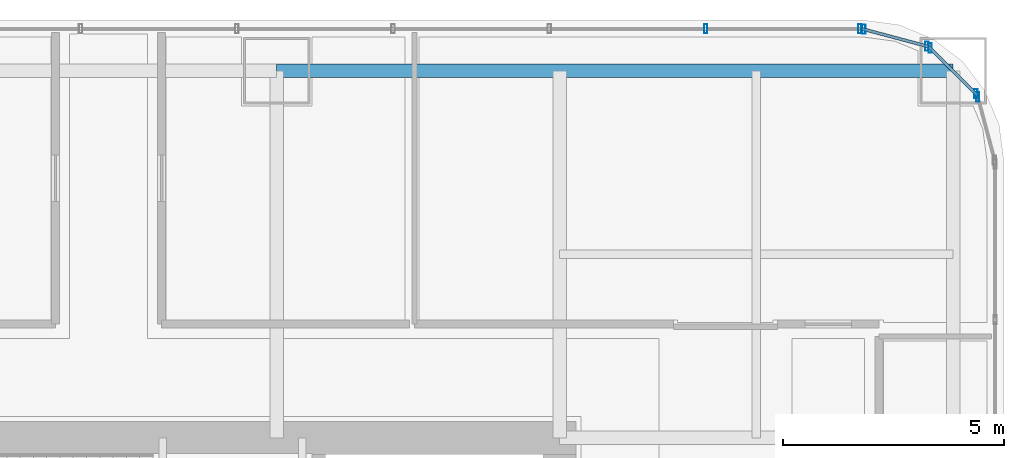
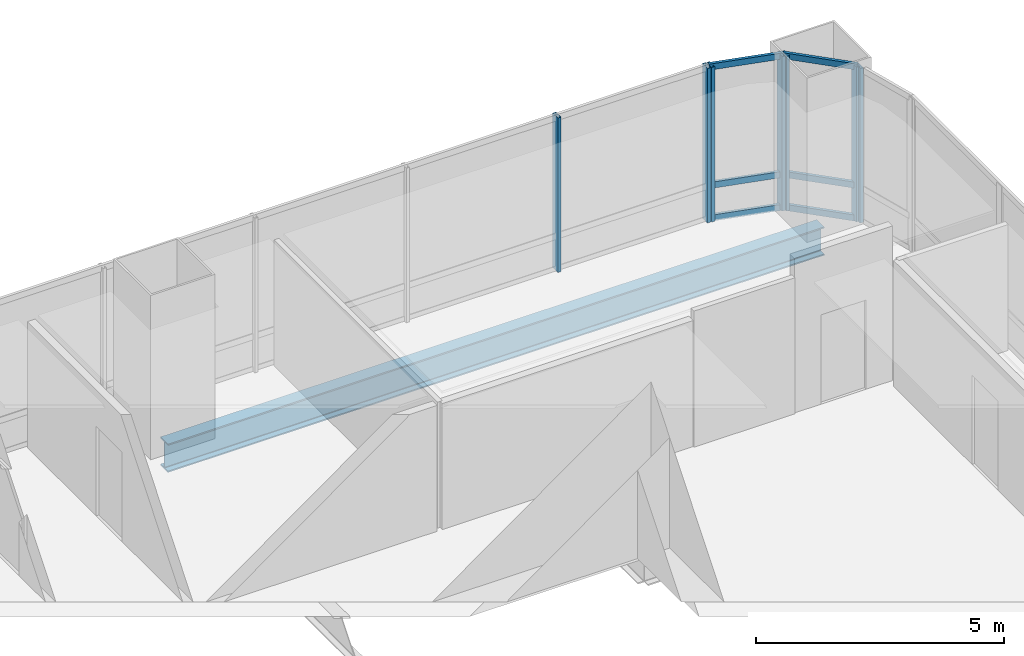
# One storey, part 25 of 36: 13 members, 1 beam, 4 elements without a shape of their own.
"""IFC4 building model written with IfcOpenShell, lengths in metres."""

import ifcopenshell
import ifcopenshell.guid

model = None  # the IFC model being written
_history = None  # IfcOwnerHistory: only IFC2X3 demands one
_inside = {}  # id of a spatial element -> (the spatial element, [elements in it])
_under = {}  # id of a project, library or spatial element -> (it, [spatial elements below it])
_declared = {}  # id of a project -> (the project, [libraries it declares])
_typed = {}  # id of a type object -> (the type object, [elements of that type])
_made_of = {}  # id of a material, layer set ... -> (it, [elements and type objects made of it])


def new_model(schema):
    """Start an empty IFC model of exactly this schema.

    Asked for "IFC4X3", IfcOpenShell would pick the latest addendum, in which some entities
    have other attributes; the version numbers below select the first issue.
    IFC2X3 requires an IfcOwnerHistory on every rooted entity: one is made here for all.
    """
    global model, _history
    if schema == "IFC4X3":
        model = ifcopenshell.file(schema_version=(4, 3, 0, 0))
    else:
        model = ifcopenshell.file(schema=schema)
    _inside.clear()
    _under.clear()
    _declared.clear()
    _typed.clear()
    _made_of.clear()
    _history = None
    if model.schema == "IFC2X3":
        org = make("IfcOrganization", Name="unknown")
        user = make(
            "IfcPersonAndOrganization",
            ThePerson=make("IfcPerson", FamilyName="unknown"),
            TheOrganization=org,
        )
        app = make(
            "IfcApplication",
            ApplicationDeveloper=org,
            Version="unknown",
            ApplicationFullName="unknown",
            ApplicationIdentifier="unknown",
        )
        _history = make(
            "IfcOwnerHistory",
            OwningUser=user,
            OwningApplication=app,
            ChangeAction="ADDED",
            CreationDate=0,
        )
    return model


def make(cls, **values):
    """One entity of the class cls with the attributes given. An attribute that is None is left unset."""
    return model.create_entity(
        cls, **{name: value for name, value in values.items() if value is not None}
    )


def rooted(cls, **values):
    """An entity with a GlobalId (a new one), such as an element, a storey or a relation."""
    return make(cls, GlobalId=ifcopenshell.guid.new(), OwnerHistory=_history, **values)


def si_unit(unit_type, name, prefix=None):
    """IfcSIUnit, for example si_unit("LENGTHUNIT", "METRE", prefix="MILLI")."""
    return make("IfcSIUnit", UnitType=unit_type, Prefix=prefix, Name=name)


def assignment(units):
    """IfcUnitAssignment: the units of a project."""
    return None if units is None else make("IfcUnitAssignment", Units=units)


def point(xyz):
    """IfcCartesianPoint."""
    return None if xyz is None else make("IfcCartesianPoint", Coordinates=xyz)


def direction(xyz):
    """IfcDirection."""
    return None if xyz is None else make("IfcDirection", DirectionRatios=xyz)


def frame(location, z_axis=None, x_axis=None):
    """IfcAxis2Placement3D, a coordinate frame: its origin and axes. An axis left out is left unset."""
    return make(
        "IfcAxis2Placement3D",
        Location=point(location),
        Axis=direction(z_axis),
        RefDirection=direction(x_axis),
    )


def frame_2d(location, x_axis=None):
    """IfcAxis2Placement2D, a coordinate frame in the plane: its origin and x axis."""
    return make(
        "IfcAxis2Placement2D", Location=point(location), RefDirection=direction(x_axis)
    )


def origin():
    """The frame at (0, 0, 0) with its axes left unset."""
    return frame((0.0, 0.0, 0.0))


def origin_2d():
    """The frame at (0, 0) in the plane with its x axis left unset."""
    return frame_2d((0.0, 0.0))


def place(relative_to, where):
    """IfcLocalPlacement: puts the frame where relative to a parent placement (None: the world)."""
    return make(
        "IfcLocalPlacement", PlacementRelTo=relative_to, RelativePlacement=where
    )


def context(
    kind, dimensions, precision=None, world=None, true_north=None, identifier=None
):
    """IfcGeometricRepresentationContext, for example the 3D "Model" context."""
    return make(
        "IfcGeometricRepresentationContext",
        ContextIdentifier=identifier,
        ContextType=kind,
        CoordinateSpaceDimension=dimensions,
        Precision=precision,
        WorldCoordinateSystem=world,
        TrueNorth=true_north,
    )


def subcontext(parent, identifier, kind, view, scale=None):
    """IfcGeometricRepresentationSubContext, for example "Body" below "Model"."""
    return make(
        "IfcGeometricRepresentationSubContext",
        ContextIdentifier=identifier,
        ContextType=kind,
        ParentContext=parent,
        TargetScale=scale,
        TargetView=view,
    )


def project(units=None, contexts=None):
    """IfcProject with its units and contexts."""
    return rooted(
        "IfcProject",
        Name="project",
        RepresentationContexts=contexts,
        UnitsInContext=assignment(units),
    )


def spatial(cls, under=None, at=None, **own):
    """A site, building, storey or space (cls), placed at a placement, below another one or the project."""
    s = rooted(cls, ObjectPlacement=at, **own)
    if under is not None:
        _under.setdefault(under.id(), (under, []))[1].append(s)
    return s


def profile(cls, at=None, kind="AREA", **sizes):
    """A parametric profile (cls). Its sizes go by their IFC names, for example OverallWidth=200.0."""
    return make(cls, ProfileType=kind, Position=at, **sizes)


def hollow_rectangle(**sizes):
    """IfcRectangleHollowProfileDef."""
    return profile("IfcRectangleHollowProfileDef", **sizes)


def i_section(**sizes):
    """IfcIShapeProfileDef."""
    return profile("IfcIShapeProfileDef", **sizes)


def extrude(swept, where, along, depth):
    """IfcExtrudedAreaSolid: the profile swept, set in the frame where, extruded along a direction by depth."""
    return make(
        "IfcExtrudedAreaSolid",
        SweptArea=swept,
        Position=where,
        ExtrudedDirection=direction(along),
        Depth=depth,
    )


def shape(context_of_items, identifier, shape_type, items):
    """IfcShapeRepresentation: the items that make up one representation, for example the "Body"."""
    return make(
        "IfcShapeRepresentation",
        ContextOfItems=context_of_items,
        RepresentationIdentifier=identifier,
        RepresentationType=shape_type,
        Items=items,
    )


def material(Name=None, Category=None):
    """IfcMaterial."""
    return make("IfcMaterial", Name=Name, Category=Category)


def material_profile(
    of_material, cross_section, Name=None, Category=None, Priority=None
):
    """IfcMaterialProfile: a cross section and its material."""
    return make(
        "IfcMaterialProfile",
        Name=Name,
        Material=of_material,
        Profile=cross_section,
        Priority=Priority,
        Category=Category,
    )


def profile_set(profiles, Name=None, composite=None):
    """IfcMaterialProfileSet."""
    return make(
        "IfcMaterialProfileSet",
        Name=Name,
        MaterialProfiles=profiles,
        CompositeProfile=composite,
    )


def made_of(thing, what):
    """Note that an element or type object is made of a material, layer set ...; save() writes the relation."""
    if what is not None:
        _made_of.setdefault(what.id(), (what, []))[1].append(thing)
    return thing


def type_object(cls, material=None, **own):
    """A type object (cls), such as IfcWallType, which elements share."""
    return made_of(rooted(cls, **own), material)


def element(
    cls,
    number,
    at=None,
    inside=None,
    cuts=None,
    type_object=None,
    material=None,
    context=None,
    identifier="Body",
    shape_type=None,
    held_by="IfcProductDefinitionShape",
    body=None,
    shapes=None,
    **own,
):
    """One element of the class cls, such as IfcWall. Its Tag is "e" and its number.

    at: its placement. inside: the storey or other place that contains it. cuts: it is an
    opening in that element (IfcRelVoidsElement). A single representation is given by context,
    identifier, shape_type and body (its items); several are given by shapes. held_by: the class
    of the entity that holds the representations. save() writes the other relations.
    """
    e = rooted(cls, Tag="e%d" % number, ObjectPlacement=at, **own)
    if body is not None:
        shapes = [shape(context, identifier, shape_type, body)]
    if shapes is not None:
        e.Representation = make(held_by, Representations=shapes)
    if inside is not None:
        _inside.setdefault(inside.id(), (inside, []))[1].append(e)
    if cuts is not None:
        rooted(
            "IfcRelVoidsElement", RelatingBuildingElement=cuts, RelatedOpeningElement=e
        )
    if type_object is not None:
        _typed.setdefault(type_object.id(), (type_object, []))[1].append(e)
    return made_of(e, material)


def aggregate(whole, parts):
    """IfcRelAggregates: a whole, such as a stair, and the parts it consists of."""
    return rooted("IfcRelAggregates", RelatingObject=whole, RelatedObjects=parts)


def save(model, path):
    """Write the relations noted so far, then the file.

    IfcRelAggregates (storeys below a building ...), IfcRelContainedInSpatialStructure (elements
    in a storey), IfcRelDefinesByType, IfcRelAssociatesMaterial and IfcRelDeclares: one each for
    every whole, place, type object, material and project.
    """
    for whole, parts in _under.values():
        aggregate(whole, parts)
    for where, things in _inside.values():
        rooted(
            "IfcRelContainedInSpatialStructure",
            RelatedElements=things,
            RelatingStructure=where,
        )
    for kind, things in _typed.values():
        rooted("IfcRelDefinesByType", RelatedObjects=things, RelatingType=kind)
    for what, things in _made_of.values():
        rooted("IfcRelAssociatesMaterial", RelatedObjects=things, RelatingMaterial=what)
    for by, libraries in _declared.values():
        rooted("IfcRelDeclares", RelatingContext=by, RelatedDefinitions=libraries)
    model.write(path)


model = new_model("IFC4")

# Units and contexts
model_context = context("Model", 3, precision=1e-05, world=origin(), true_north=direction((0.0, 1.0)))
body_context = subcontext(model_context, "Body", "Model", "MODEL_VIEW")
ifc_project = project(units=[si_unit("LENGTHUNIT", "METRE"), si_unit("AREAUNIT", "SQUARE_METRE"), si_unit("VOLUMEUNIT", "CUBIC_METRE"), si_unit("PLANEANGLEUNIT", "RADIAN"), si_unit("MASSUNIT", "GRAM", prefix="KILO")], contexts=[model_context])

# Site, building, storey
site_placement = place(None, origin())
site = spatial("IfcSite", under=ifc_project, at=site_placement, CompositionType="ELEMENT")
building_placement = place(site_placement, origin())
building = spatial("IfcBuilding", under=site, at=building_placement, Name="Punatoya Terracotta Tower", CompositionType="ELEMENT")
storey_placement = place(building_placement, frame((0.0, 0.0, 32.25)))
storey = spatial("IfcBuildingStorey", under=building, at=storey_placement, Name="L06", CompositionType="ELEMENT", Elevation=32.25)

# Beam
ifc_material_1 = material(Name="Steel S355", Category="steel")
ifc_material_profile_1 = material_profile(ifc_material_1, i_section(OverallWidth=0.300048828125, OverallDepth=0.699951171875, WebThickness=0.01708984375, FlangeThickness=0.031982421875, FilletRadius=0.01806640625, at=origin_2d()))
ifc_profile_set_1 = profile_set([ifc_material_profile_1], Name="Steel S355")
beam_type = type_object("IfcBeamType", Name="BM-PRI-700", PredefinedType="BEAM", material=ifc_profile_set_1)
beam_placement = place(storey_placement, frame((3.800048828125, 17.5, -0.590087890625), z_axis=(1.0, 0.0, 0.0), x_axis=(0.0, 1.0, 0.0)))
element("IfcBeam", 1, at=beam_placement, inside=storey, type_object=beam_type, Name="BM-L06-RG-N3", PredefinedType="BEAM", context=body_context, shape_type="SweptSolid", body=[
    extrude(i_section(OverallWidth=0.300048828125, OverallDepth=0.699951171875, WebThickness=0.01708984375, FlangeThickness=0.031982421875, FilletRadius=0.01806640625, at=origin_2d()), origin(), (0.0, 0.0, 1.0), 15.300048828125),
])

# Curtain wall, member
ifc_material_2 = material(Name="Aluminium 6063-T6 + Double Low-E Glass", Category="aluminium")
curtain_wall_type = type_object("IfcCurtainWallType", Name="CW-M1", PredefinedType="NOTDEFINED", material=ifc_material_2)
curtain_wall_1_placement = place(storey_placement, origin())
curtain_wall_1 = element("IfcCurtainWall", 2, at=curtain_wall_1_placement, inside=storey, type_object=curtain_wall_type, Name="L06 Curtain Wall CW-L06-CRN06", PredefinedType="NOTDEFINED")
ifc_material_3 = material(Name="Aluminium 6063-T6", Category="aluminium")
ifc_material_profile_2 = material_profile(ifc_material_3, hollow_rectangle(XDim=0.074951171875, YDim=0.2099609375, WallThickness=0.00439453125, at=origin_2d()))
ifc_profile_set_2 = profile_set([ifc_material_profile_2], Name="Aluminium 6063-T6")
member_type_1 = type_object("IfcMemberType", Name="CW-MUL-M1", PredefinedType="MULLION", material=ifc_profile_set_2)
member_1_placement = place(storey_placement, frame((19.658203125, 16.905517578125, 0.0), z_axis=(0.0, 0.0, 1.0), x_axis=(1.0, 0.0, 0.0)))
member_1 = element("IfcMember", 3, at=member_1_placement, type_object=member_type_1, Name="CW-L06-CRN06 Mullion 01", PredefinedType="MULLION", context=body_context, shape_type="SweptSolid", body=[
    extrude(hollow_rectangle(XDim=0.074951171875, YDim=0.2099609375, WallThickness=0.00439453125, at=origin_2d()), origin(), (0.0, 0.0, 1.0), 3.81005859375),
])
aggregate(curtain_wall_1, [member_1])

# Curtain wall, members
curtain_wall_2_placement = place(storey_placement, origin())
curtain_wall_2 = element("IfcCurtainWall", 4, at=curtain_wall_2_placement, inside=storey, type_object=curtain_wall_type, Name="L06 Curtain Wall CW-L06-CRN07", PredefinedType="NOTDEFINED")
member_2_placement = place(storey_placement, frame((19.61474609375, 16.98095703125, 0.0), z_axis=(0.0, 0.0, 1.0), x_axis=(1.0, 0.0, 0.0)))
member_2 = element("IfcMember", 5, at=member_2_placement, type_object=member_type_1, Name="CW-L06-CRN07 Mullion 00", PredefinedType="MULLION", context=body_context, shape_type="SweptSolid", body=[
    extrude(hollow_rectangle(XDim=0.074951171875, YDim=0.2099609375, WallThickness=0.00439453125, at=origin_2d()), origin(), (0.0, 0.0, 1.0), 3.81005859375),
])
member_3_placement = place(storey_placement, frame((18.580810546875, 18.014892578125, 0.0), z_axis=(0.0, 0.0, 1.0), x_axis=(1.0, 0.0, 0.0)))
member_3 = element("IfcMember", 6, at=member_3_placement, type_object=member_type_1, Name="CW-L06-CRN07 Mullion 01", PredefinedType="MULLION", context=body_context, shape_type="SweptSolid", body=[
    extrude(hollow_rectangle(XDim=0.074951171875, YDim=0.2099609375, WallThickness=0.00439453125, at=origin_2d()), origin(), (0.0, 0.0, 1.0), 3.81005859375),
])

curtain_wall_3_placement = place(storey_placement, origin())
curtain_wall_3 = element("IfcCurtainWall", 7, at=curtain_wall_3_placement, inside=storey, type_object=curtain_wall_type, Name="L06 Curtain Wall CW-L06-CRN08", PredefinedType="NOTDEFINED")
member_4_placement = place(storey_placement, frame((18.505615234375, 18.05810546875, 0.0), z_axis=(0.0, 0.0, 1.0), x_axis=(1.0, 0.0, 0.0)))
member_4 = element("IfcMember", 8, at=member_4_placement, type_object=member_type_1, Name="CW-L06-CRN08 Mullion 00", PredefinedType="MULLION", context=body_context, shape_type="SweptSolid", body=[
    extrude(hollow_rectangle(XDim=0.074951171875, YDim=0.2099609375, WallThickness=0.00439453125, at=origin_2d()), origin(), (0.0, 0.0, 1.0), 3.81005859375),
])
member_5_placement = place(storey_placement, frame((17.080322265625, 18.4384765625, 0.0), z_axis=(0.0, 0.0, 1.0), x_axis=(1.0, 0.0, 0.0)))
member_5 = element("IfcMember", 9, at=member_5_placement, type_object=member_type_1, Name="CW-L06-CRN08 Mullion 01", PredefinedType="MULLION", context=body_context, shape_type="SweptSolid", body=[
    extrude(hollow_rectangle(XDim=0.074951171875, YDim=0.2099609375, WallThickness=0.00439453125, at=origin_2d()), origin(), (0.0, 0.0, 1.0), 3.81005859375),
])

curtain_wall_4_placement = place(storey_placement, origin())
curtain_wall_4 = element("IfcCurtainWall", 10, at=curtain_wall_4_placement, inside=storey, type_object=curtain_wall_type, Name="L06 Curtain Wall CW-L06-N09-1", PredefinedType="NOTDEFINED")
member_6_placement = place(storey_placement, frame((16.991943359375, 18.449951171875, 0.0), z_axis=(0.0, 0.0, 1.0), x_axis=(1.0, 0.0, 0.0)))
member_6 = element("IfcMember", 11, at=member_6_placement, type_object=member_type_1, Name="CW-L06-N09-1 Mullion 00", PredefinedType="MULLION", context=body_context, shape_type="SweptSolid", body=[
    extrude(hollow_rectangle(XDim=0.074951171875, YDim=0.2099609375, WallThickness=0.00439453125, at=origin_2d()), origin(), (0.0, 0.0, 1.0), 3.81005859375),
])
member_7_placement = place(storey_placement, frame((13.5029296875, 18.449951171875, 0.0), z_axis=(0.0, 0.0, 1.0), x_axis=(1.0, 0.0, 0.0)))
member_7 = element("IfcMember", 12, at=member_7_placement, type_object=member_type_1, Name="CW-L06-N09-1 Mullion 01", PredefinedType="MULLION", context=body_context, shape_type="SweptSolid", body=[
    extrude(hollow_rectangle(XDim=0.074951171875, YDim=0.2099609375, WallThickness=0.00439453125, at=origin_2d()), origin(), (0.0, 0.0, 1.0), 3.81005859375),
])
aggregate(curtain_wall_4, [member_6, member_7])

# Member
ifc_material_profile_3 = material_profile(ifc_material_3, hollow_rectangle(XDim=0.068115234375, YDim=0.14990234375, WallThickness=0.00390625, at=origin_2d()))
ifc_profile_set_3 = profile_set([ifc_material_profile_3], Name="Aluminium 6063-T6")
member_type_2 = type_object("IfcMemberType", Name="CW-TRN-TYP", PredefinedType="USERDEFINED", material=ifc_profile_set_3)
member_8_placement = place(storey_placement, frame((19.646484375, 16.94921875, 0.0400390625), z_axis=(-0.707106781187, 0.707106781187, 0.0), x_axis=(-0.707106781187, -0.707106781187, 0.0)))
member_8 = element("IfcMember", 13, at=member_8_placement, type_object=member_type_2, Name="CW-L06-CRN07 Transom 1", ObjectType="TRANSOM", PredefinedType="USERDEFINED", context=body_context, shape_type="SweptSolid", body=[
    extrude(hollow_rectangle(XDim=0.068115234375, YDim=0.14990234375, WallThickness=0.00390625, at=origin_2d()), origin(), (0.0, 0.0, 1.0), 1.552001953125),
])

member_9_placement = place(storey_placement, frame((19.646484375, 16.94921875, 0.85009765625), z_axis=(-0.707106781187, 0.707106781187, 0.0), x_axis=(-0.707106781187, -0.707106781187, 0.0)))
member_9 = element("IfcMember", 14, at=member_9_placement, type_object=member_type_2, Name="CW-L06-CRN07 Transom 2", ObjectType="TRANSOM", PredefinedType="USERDEFINED", context=body_context, shape_type="SweptSolid", body=[
    extrude(hollow_rectangle(XDim=0.068115234375, YDim=0.14990234375, WallThickness=0.00390625, at=origin_2d()), origin(), (0.0, 0.0, 1.0), 1.552001953125),
])

member_10_placement = place(storey_placement, frame((19.646484375, 16.94921875, 3.77001953125), z_axis=(-0.707106781187, 0.707106781187, 0.0), x_axis=(-0.707106781187, -0.707106781187, 0.0)))
member_10 = element("IfcMember", 15, at=member_10_placement, type_object=member_type_2, Name="CW-L06-CRN07 Transom 3", ObjectType="TRANSOM", PredefinedType="USERDEFINED", context=body_context, shape_type="SweptSolid", body=[
    extrude(hollow_rectangle(XDim=0.068115234375, YDim=0.14990234375, WallThickness=0.00390625, at=origin_2d()), origin(), (0.0, 0.0, 1.0), 1.552001953125),
])

aggregate(curtain_wall_2, [member_2, member_3, member_8, member_9, member_10])

member_11_placement = place(storey_placement, frame((18.549072265625, 18.046630859375, 0.0400390625), z_axis=(-0.966224582397, 0.257701486942, 0.0), x_axis=(-0.257701486942, -0.966224582397, 0.0)))
member_11 = element("IfcMember", 16, at=member_11_placement, type_object=member_type_2, Name="CW-L06-CRN08 Transom 1", ObjectType="TRANSOM", PredefinedType="USERDEFINED", context=body_context, shape_type="SweptSolid", body=[
    extrude(hollow_rectangle(XDim=0.068115234375, YDim=0.14990234375, WallThickness=0.00390625, at=origin_2d()), origin(), (0.0, 0.0, 1.0), 1.565185546875),
])

member_12_placement = place(storey_placement, frame((18.549072265625, 18.046630859375, 0.85009765625), z_axis=(-0.966224582397, 0.257701486942, 0.0), x_axis=(-0.257701486942, -0.966224582397, 0.0)))
member_12 = element("IfcMember", 17, at=member_12_placement, type_object=member_type_2, Name="CW-L06-CRN08 Transom 2", ObjectType="TRANSOM", PredefinedType="USERDEFINED", context=body_context, shape_type="SweptSolid", body=[
    extrude(hollow_rectangle(XDim=0.068115234375, YDim=0.14990234375, WallThickness=0.00390625, at=origin_2d()), origin(), (0.0, 0.0, 1.0), 1.565185546875),
])

member_13_placement = place(storey_placement, frame((18.549072265625, 18.046630859375, 3.77001953125), z_axis=(-0.966224582397, 0.257701486942, 0.0), x_axis=(-0.257701486942, -0.966224582397, 0.0)))
member_13 = element("IfcMember", 18, at=member_13_placement, type_object=member_type_2, Name="CW-L06-CRN08 Transom 3", ObjectType="TRANSOM", PredefinedType="USERDEFINED", context=body_context, shape_type="SweptSolid", body=[
    extrude(hollow_rectangle(XDim=0.068115234375, YDim=0.14990234375, WallThickness=0.00390625, at=origin_2d()), origin(), (0.0, 0.0, 1.0), 1.565185546875),
])

aggregate(curtain_wall_3, [member_4, member_5, member_11, member_12, member_13])

save(model, "model.ifc")
